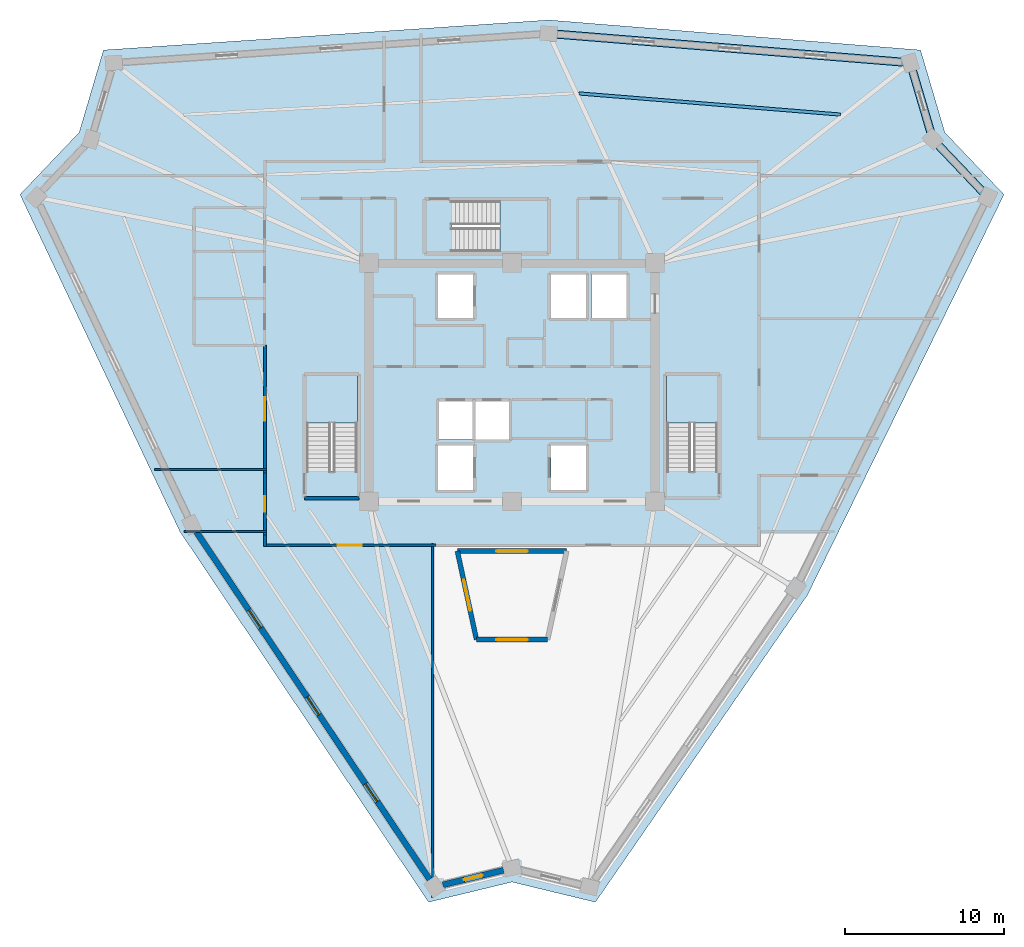
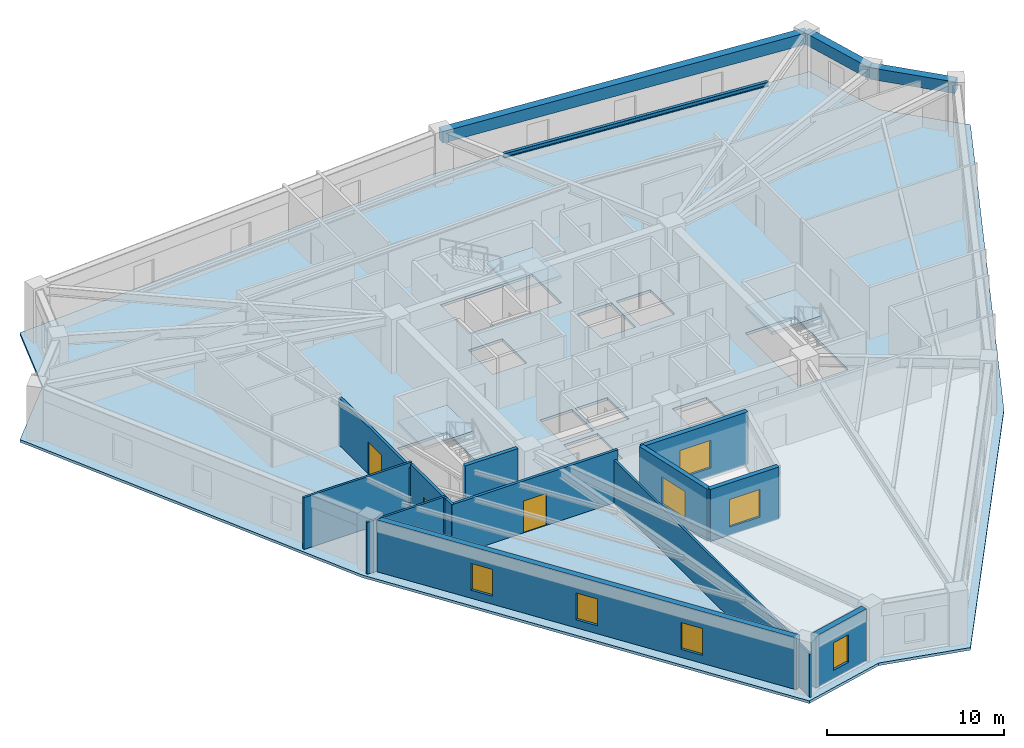
# One storey, part 2 of 10: 13 walls, 7 windows, 4 beams, 4 slabs, 3 doors, 10 openings, 3 elements without a shape of their own.
"""IFC4 building model written with IfcOpenShell, lengths in metres."""

from ifc_helpers import new_model, si_unit, direction, frame, frame_2d, origin, origin_2d, place, context, subcontext, project, spatial, polyline, rectangle, i_section, outline, extrude, source, transform, mapped, material, layer, layer_set, material_profile, profile_set, type_object, element, fill, aggregate, save


model = new_model("IFC4")

# Units and contexts
model_context = context("Model", 3, precision=1e-05, world=origin(), true_north=direction((0.0, 1.0)))
body_context = subcontext(model_context, "Body", "Model", "MODEL_VIEW")
ifc_project = project(units=[si_unit("LENGTHUNIT", "METRE"), si_unit("AREAUNIT", "SQUARE_METRE"), si_unit("VOLUMEUNIT", "CUBIC_METRE"), si_unit("PLANEANGLEUNIT", "RADIAN"), si_unit("MASSUNIT", "GRAM", prefix="KILO")], contexts=[model_context])

# Site, building, storey
site_placement = place(None, origin())
site = spatial("IfcSite", under=ifc_project, at=site_placement, CompositionType="ELEMENT")
building_placement = place(site_placement, origin())
building = spatial("IfcBuilding", under=site, at=building_placement, Name="Liaohun Quay Tower", CompositionType="ELEMENT")
storey_placement = place(building_placement, frame((0.0, 0.0, 309.0)))
storey = spatial("IfcBuildingStorey", under=building, at=storey_placement, Name="L80", CompositionType="ELEMENT", Elevation=309.0)

# Beams
ifc_material_1 = material(Name="Steel Q355D", Category="steel")
ifc_material_profile_1 = material_profile(ifc_material_1, i_section(OverallWidth=0.199951171875, OverallDepth=0.2939453125, WebThickness=0.008056640625, FlangeThickness=0.011962890625, at=origin_2d()), Name="HM294x200x8x12")
ifc_profile_set_1 = profile_set([ifc_material_profile_1], Name="Steel Q355D")
beam_type_1 = type_object("IfcBeamType", Name="BM-SEC-J4", PredefinedType="JOIST", material=ifc_profile_set_1)
shared_shape_1 = source(origin(), body_context, "Body", "SweptSolid", [
    extrude(i_section(OverallWidth=0.199951171875, OverallDepth=0.2939453125, WebThickness=0.008056640625, FlangeThickness=0.011962890625, at=origin_2d()), origin(), (0.0, 0.0, 1.0), 16.5078125),
])
beam_1_placement = place(storey_placement, frame((64.219970703125, 72.18408203125, 3.423095703125), z_axis=(0.996748723422, -0.080572838821, 0.0), x_axis=(0.080572838821, 0.996748723422, 0.0)))
element("IfcBeam", 1, at=beam_1_placement, inside=storey, type_object=beam_type_1, Name="L80 Wing Secondary Floor Joist SJ-09", PredefinedType="JOIST", context=body_context, shape_type="MappedRepresentation", body=[
    mapped(shared_shape_1, transform((0.0, 0.0, 0.0), x_axis=(1.0, 0.0, 0.0), y_axis=(0.0, 1.0, 0.0), z_axis=(0.0, 0.0, 1.0), scale=1.0)),
])
ifc_material_2 = material(Name="Precast concrete C50", Category="concrete")
ifc_material_profile_2 = material_profile(ifc_material_2, rectangle(XDim=0.5, YDim=0.800048828125, at=origin_2d()), Name="RC500x800")
ifc_profile_set_2 = profile_set([ifc_material_profile_2], Name="Precast concrete C50")
beam_type_2 = type_object("IfcBeamType", Name="BM-SPD-Z4", PredefinedType="SPANDREL", material=ifc_profile_set_2)
shared_shape_2 = source(origin(), body_context, "Body", "SweptSolid", [
    extrude(rectangle(XDim=0.5, YDim=0.800048828125, at=origin_2d()), origin(), (0.0, 0.0, 1.0), 22.838134765625),
])
beam_2_placement = place(storey_placement, frame((62.30908203125, 75.9560546875, 3.169921875), z_axis=(0.996752326166, -0.080528257666, 0.0), x_axis=(0.080528257666, 0.996752326166, 0.0)))
element("IfcBeam", 2, at=beam_2_placement, inside=storey, type_object=beam_type_2, Name="L80 Precast Spandrel Beam PC06-PC07", PredefinedType="SPANDREL", context=body_context, shape_type="MappedRepresentation", body=[
    mapped(shared_shape_2, transform((0.0, 0.0, 0.0), x_axis=(1.0, 0.0, 0.0), y_axis=(0.0, 1.0, 0.0), z_axis=(0.0, 0.0, 1.0), scale=1.0)),
])
shared_shape_3 = source(origin(), body_context, "Body", "SweptSolid", [
    extrude(rectangle(XDim=0.5, YDim=0.800048828125, at=origin_2d()), origin(), (0.0, 0.0, 1.0), 5.02587890625),
])
beam_3_placement = place(storey_placement, frame((85.072998046875, 74.116943359375, 3.169921875), z_axis=(0.282526612838, -0.95925946075, 0.0), x_axis=(0.95925946075, 0.282526612838, 0.0)))
element("IfcBeam", 3, at=beam_3_placement, inside=storey, type_object=beam_type_2, Name="L80 Precast Spandrel Beam PC07-PC08", PredefinedType="SPANDREL", context=body_context, shape_type="MappedRepresentation", body=[
    mapped(shared_shape_3, transform((0.0, 0.0, 0.0), x_axis=(1.0, 0.0, 0.0), y_axis=(0.0, 1.0, 0.0), z_axis=(0.0, 0.0, 1.0), scale=1.0)),
])
shared_shape_4 = source(origin(), body_context, "Body", "SweptSolid", [
    extrude(rectangle(XDim=0.5, YDim=0.800048828125, at=origin_2d()), origin(), (0.0, 0.0, 1.0), 5.017822265625),
])
beam_4_placement = place(storey_placement, frame((86.492919921875, 69.2958984375, 3.169921875), z_axis=(0.689348946572, -0.724429451265, 0.0), x_axis=(0.724429451265, 0.689348946572, 0.0)))
element("IfcBeam", 4, at=beam_4_placement, inside=storey, type_object=beam_type_2, Name="L80 Precast Spandrel Beam PC08-PC09", PredefinedType="SPANDREL", context=body_context, shape_type="MappedRepresentation", body=[
    mapped(shared_shape_4, transform((0.0, 0.0, 0.0), x_axis=(1.0, 0.0, 0.0), y_axis=(0.0, 1.0, 0.0), z_axis=(0.0, 0.0, 1.0), scale=1.0)),
])

# Stair, slab
ifc_material_3 = material(Name="Concrete C45", Category="concrete")
stair_type = type_object("IfcStairType", Name="STR-CORE-OFF", PredefinedType="HALF_TURN_STAIR", material=ifc_material_3)
stair_1_placement = place(storey_placement, origin())
stair_1 = element("IfcStair", 5, at=stair_1_placement, inside=storey, type_object=stair_type, Name="L80 Smokeproof Core Exit Stair ST-1", PredefinedType="HALF_TURN_STAIR")
ifc_layer_1 = layer(ifc_material_3, 0.199951171875, Name="Concrete C45", Category="concrete")
ifc_layer_set_1 = layer_set([ifc_layer_1], Name="Concrete C45")
slab_type_1 = type_object("IfcSlabType", Name="SLB-LND-200", PredefinedType="LANDING", material=ifc_layer_set_1)
slab_1_placement = place(storey_placement, frame((0.0, 0.0, 1.675048828125)))
slab_1 = element("IfcSlab", 6, at=slab_1_placement, type_object=slab_type_1, Name="ST-1 landing 1", PredefinedType="LANDING", context=body_context, shape_type="SweptSolid", body=[
    extrude(outline(polyline([(50.280029296875, 51.429931640625), (50.280029296875, 54.419921875), (47.0400390625, 54.419921875), (47.0400390625, 51.429931640625), (50.280029296875, 51.429931640625)])), origin(), (0.0, 0.0, 1.0), 0.199951171875),
])
aggregate(stair_1, [slab_1])

stair_2_placement = place(storey_placement, origin())
stair_2 = element("IfcStair", 7, at=stair_2_placement, inside=storey, type_object=stair_type, Name="L80 Smokeproof Core Exit Stair ST-2", PredefinedType="HALF_TURN_STAIR")
slab_2_placement = place(storey_placement, frame((0.0, 0.0, 1.675048828125)))
slab_2 = element("IfcSlab", 8, at=slab_2_placement, type_object=slab_type_1, Name="ST-2 landing 1", PredefinedType="LANDING", context=body_context, shape_type="SweptSolid", body=[
    extrude(outline(polyline([(72.9599609375, 51.429931640625), (72.9599609375, 54.419921875), (69.719970703125, 54.419921875), (69.719970703125, 51.429931640625), (72.9599609375, 51.429931640625)])), origin(), (0.0, 0.0, 1.0), 0.199951171875),
])
aggregate(stair_2, [slab_2])

stair_3_placement = place(storey_placement, origin())
stair_3 = element("IfcStair", 9, at=stair_3_placement, inside=storey, type_object=stair_type, Name="L80 Smokeproof Core Exit Stair ST-3", PredefinedType="HALF_TURN_STAIR")
slab_3_placement = place(storey_placement, frame((0.0, 0.0, 1.675048828125)))
slab_3 = element("IfcSlab", 10, at=slab_3_placement, type_object=slab_type_1, Name="ST-3 landing 1", PredefinedType="LANDING", context=body_context, shape_type="SweptSolid", body=[
    extrude(outline(polyline([(59.22998046875, 62.199951171875), (62.219970703125, 62.199951171875), (62.219970703125, 65.43994140625), (59.22998046875, 65.43994140625), (59.22998046875, 62.199951171875)])), origin(), (0.0, 0.0, 1.0), 0.199951171875),
])
aggregate(stair_3, [slab_3])

# Slab
ifc_layer_2 = layer(ifc_material_3, 0.179931640625, Name="Concrete C45", Category="concrete")
ifc_layer_set_2 = layer_set([ifc_layer_2], Name="Concrete C45")
slab_type_2 = type_object("IfcSlabType", Name="SLB-OFF-180", PredefinedType="FLOOR", material=ifc_layer_set_2)
slab_4_placement = place(storey_placement, frame((0.0, 0.0, -0.179931640625)))
element("IfcSlab", 11, at=slab_4_placement, inside=storey, type_object=slab_type_2, Name="L80 Structural Floor Slab", PredefinedType="FLOOR", context=body_context, shape_type="SweptSolid", body=[
    extrude(outline(polyline([(54.7470703125, 21.264892578125), (60.0, 22.533935546875), (65.2529296875, 21.264892578125), (78.594970703125, 40.591064453125), (90.97607421875, 65.818115234375), (87.25, 69.73291015625), (85.722900390625, 74.9169921875), (62.31494140625, 76.80810546875), (34.277099609375, 74.9169921875), (32.75, 69.73291015625), (29.02392578125, 65.818115234375), (39.090087890625, 44.60107421875), (54.7470703125, 21.264892578125)]), holes=[polyline([(57.56005859375, 50.030029296875), (55.340087890625, 50.030029296875), (55.340087890625, 47.2099609375), (57.56005859375, 47.2099609375), (57.56005859375, 50.030029296875)]), polyline([(47.0400390625, 54.419921875), (47.0400390625, 48.409912109375), (50.280029296875, 48.409912109375), (50.280029296875, 54.419921875), (47.0400390625, 54.419921875)]), polyline([(57.510009765625, 52.81005859375), (55.389892578125, 52.81005859375), (55.389892578125, 50.389892578125), (57.510009765625, 50.389892578125), (57.510009765625, 52.81005859375)]), polyline([(59.81005859375, 50.389892578125), (59.81005859375, 52.81005859375), (57.68994140625, 52.81005859375), (57.68994140625, 50.389892578125), (59.81005859375, 50.389892578125)]), polyline([(57.56005859375, 58.0400390625), (57.56005859375, 60.7900390625), (55.340087890625, 60.7900390625), (55.340087890625, 58.0400390625), (57.56005859375, 58.0400390625)]), polyline([(62.219970703125, 65.43994140625), (56.2099609375, 65.43994140625), (56.2099609375, 62.199951171875), (62.219970703125, 62.199951171875), (62.219970703125, 65.43994140625)]), polyline([(62.09912109375, 37.970947265625), (63.22998046875, 43.199951171875), (56.77001953125, 43.199951171875), (57.90087890625, 37.970947265625), (62.09912109375, 37.970947265625)]), polyline([(64.659912109375, 47.2099609375), (64.659912109375, 50.030029296875), (62.43994140625, 50.030029296875), (62.43994140625, 47.2099609375), (64.659912109375, 47.2099609375)]), polyline([(69.719970703125, 54.419921875), (69.719970703125, 48.409912109375), (72.9599609375, 48.409912109375), (72.9599609375, 54.419921875), (69.719970703125, 54.419921875)]), polyline([(64.659912109375, 58.0400390625), (64.659912109375, 60.7900390625), (62.43994140625, 60.7900390625), (62.43994140625, 58.0400390625), (64.659912109375, 58.0400390625)]), polyline([(67.2099609375, 58.0400390625), (67.2099609375, 60.7900390625), (64.989990234375, 60.7900390625), (64.989990234375, 58.0400390625), (67.2099609375, 58.0400390625)])]), origin(), (0.0, 0.0, 1.0), 0.179931640625),
])

# Wall, opening, window
ifc_material_4 = material(Name="Concrete C50", Category="concrete")
ifc_layer_3 = layer(ifc_material_4, 0.300048828125, Name="Concrete C50", Category="concrete")
ifc_layer_set_3 = layer_set([ifc_layer_3], Name="Concrete C50")
wall_type_1 = type_object("IfcWallType", Name="WAL-ATR-300", PredefinedType="SOLIDWALL", material=ifc_layer_set_3)
wall_1_placement = place(storey_placement, frame((57.763916015625, 37.801025390625, 0.0), z_axis=(0.0, 0.0, 1.0), x_axis=(-0.21145116659, 0.977388563545, 0.0)))
wall_1 = element("IfcWall", 12, at=wall_1_placement, inside=storey, type_object=wall_type_1, Name="L80 Atrium Fire Compartment Wall 1", PredefinedType="SOLIDWALL", context=body_context, shape_type="SweptSolid", body=[
    extrude(rectangle(XDim=5.697998046875, YDim=0.300048828125, at=frame_2d((2.84912109375, 0.0))), origin(), (0.0, 0.0, 1.0), 3.570068359375),
])
shared_shape_5 = source(origin(), body_context, "Body", "SweptSolid", [
    extrude(rectangle(XDim=2.0, YDim=1.89990234375, at=frame_2d((1.0, 0.949951171875))), frame((0.0, 0.159912109375, 0.0), z_axis=(0.0, -1.0, 0.0), x_axis=(1.0, 0.0, 0.0)), (0.0, 0.0, 1.0), 0.320068359375),
])
opening_1_placement = place(wall_1_placement, frame((1.84912109375, 0.0, 0.550048828125)))
opening_1 = element("IfcOpeningElement", 13, at=opening_1_placement, cuts=wall_1, Name="Opening W07", PredefinedType="OPENING", context=body_context, shape_type="MappedRepresentation", body=[
    mapped(shared_shape_5, transform((0.0, 0.0, 0.0), x_axis=(1.0, 0.0, 0.0), y_axis=(0.0, 1.0, 0.0), z_axis=(0.0, 0.0, 1.0), scale=1.0)),
])
ifc_material_5 = material(Name="Class A 180-min fire-resistant insulated glazing", Category="glass")
window_type_1 = type_object("IfcWindowType", Name="WIN-ATR-FIR", PartitioningType="DOUBLE_PANEL_VERTICAL", PredefinedType="WINDOW", material=ifc_material_5)
shared_shape_6 = source(origin(), body_context, "Body", "SweptSolid", [
    extrude(rectangle(XDim=2.0, YDim=1.89990234375, at=frame_2d((1.0, 0.949951171875))), frame((0.0, 0.030029296875, 0.0), z_axis=(0.0, -1.0, 0.0), x_axis=(1.0, 0.0, 0.0)), (0.0, 0.0, 1.0), 0.06005859375),
])
window_1_placement = place(opening_1_placement, origin())
window_1 = element("IfcWindow", 14, at=window_1_placement, inside=storey, type_object=window_type_1, Name="L80 Atrium Fire-Resistant Glazing W07-1", OverallHeight=1.89990234375, OverallWidth=2.0, PartitioningType="DOUBLE_PANEL_VERTICAL", PredefinedType="WINDOW", context=body_context, shape_type="MappedRepresentation", body=[
    mapped(shared_shape_6, transform((0.0, 0.0, 0.0), x_axis=(1.0, 0.0, 0.0), y_axis=(0.0, 1.0, 0.0), z_axis=(0.0, 0.0, 1.0), scale=1.0)),
])
fill(opening_1, window_1)

wall_2_placement = place(storey_placement, frame((56.55908203125, 43.3701171875, 0.0), z_axis=(0.0, 0.0, 1.0), x_axis=(1.0, 0.0, 0.0)))
wall_2 = element("IfcWall", 15, at=wall_2_placement, inside=storey, type_object=wall_type_1, Name="L80 Atrium Fire Compartment Wall 2", PredefinedType="SOLIDWALL", context=body_context, shape_type="SweptSolid", body=[
    extrude(rectangle(XDim=6.8818359375, YDim=0.300048828125, at=frame_2d((3.44091796875, 0.0))), origin(), (0.0, 0.0, 1.0), 3.570068359375),
])
opening_2_placement = place(wall_2_placement, frame((2.44091796875, 0.0, 0.550048828125)))
opening_2 = element("IfcOpeningElement", 16, at=opening_2_placement, cuts=wall_2, Name="Opening W07", PredefinedType="OPENING", context=body_context, shape_type="MappedRepresentation", body=[
    mapped(shared_shape_5, transform((0.0, 0.0, 0.0), x_axis=(1.0, 0.0, 0.0), y_axis=(0.0, 1.0, 0.0), z_axis=(0.0, 0.0, 1.0), scale=1.0)),
])
window_2_placement = place(opening_2_placement, origin())
window_2 = element("IfcWindow", 17, at=window_2_placement, inside=storey, type_object=window_type_1, Name="L80 Atrium Fire-Resistant Glazing W07-2", OverallHeight=1.89990234375, OverallWidth=2.0, PartitioningType="DOUBLE_PANEL_VERTICAL", PredefinedType="WINDOW", context=body_context, shape_type="MappedRepresentation", body=[
    mapped(shared_shape_6, transform((0.0, 0.0, 0.0), x_axis=(1.0, 0.0, 0.0), y_axis=(0.0, 1.0, 0.0), z_axis=(0.0, 0.0, 1.0), scale=1.0)),
])
fill(opening_2, window_2)

wall_3_placement = place(storey_placement, frame((62.236083984375, 37.801025390625, 0.0), z_axis=(0.0, 0.0, 1.0), x_axis=(-1.0, 0.0, 0.0)))
wall_3 = element("IfcWall", 18, at=wall_3_placement, inside=storey, type_object=wall_type_1, Name="L80 Atrium Fire Compartment Wall 4", PredefinedType="SOLIDWALL", context=body_context, shape_type="SweptSolid", body=[
    extrude(rectangle(XDim=4.47216796875, YDim=0.300048828125, at=frame_2d((2.236083984375, 0.0))), origin(), (0.0, 0.0, 1.0), 3.570068359375),
])
opening_3_placement = place(wall_3_placement, frame((1.236083984375, 0.0, 0.550048828125)))
opening_3 = element("IfcOpeningElement", 19, at=opening_3_placement, cuts=wall_3, Name="Opening W07", PredefinedType="OPENING", context=body_context, shape_type="MappedRepresentation", body=[
    mapped(shared_shape_5, transform((0.0, 0.0, 0.0), x_axis=(1.0, 0.0, 0.0), y_axis=(0.0, 1.0, 0.0), z_axis=(0.0, 0.0, 1.0), scale=1.0)),
])
window_3_placement = place(opening_3_placement, origin())
window_3 = element("IfcWindow", 20, at=window_3_placement, inside=storey, type_object=window_type_1, Name="L80 Atrium Fire-Resistant Glazing W07-4", OverallHeight=1.89990234375, OverallWidth=2.0, PartitioningType="DOUBLE_PANEL_VERTICAL", PredefinedType="WINDOW", context=body_context, shape_type="MappedRepresentation", body=[
    mapped(shared_shape_6, transform((0.0, 0.0, 0.0), x_axis=(1.0, 0.0, 0.0), y_axis=(0.0, 1.0, 0.0), z_axis=(0.0, 0.0, 1.0), scale=1.0)),
])
fill(opening_3, window_3)

# Wall, openings, windows
ifc_material_6 = material(Name="Precast concrete C50 insulated sandwich", Category="concrete")
ifc_layer_4 = layer(ifc_material_6, 0.3798828125, Name="Precast concrete C50 insulated sandwich", Category="concrete")
ifc_layer_set_4 = layer_set([ifc_layer_4], Name="Precast concrete C50 insulated sandwich")
wall_type_2 = type_object("IfcWallType", Name="WAL-EXT-Z34", PredefinedType="SOLIDWALL", material=ifc_layer_set_4)
wall_4_placement = place(storey_placement, frame((40.132080078125, 44.573974609375, 0.0), z_axis=(0.0, 0.0, 1.0), x_axis=(0.557129450607, -0.830425659085, 0.0)))
wall_4 = element("IfcWall", 21, at=wall_4_placement, inside=storey, type_object=wall_type_2, Name="L80 Brutalist Precast Pier Wall 11", PredefinedType="SOLIDWALL", context=body_context, shape_type="SweptSolid", body=[
    extrude(rectangle(XDim=26.3671875, YDim=0.3798828125, at=frame_2d((13.18359375, 0.0))), origin(), (0.0, 0.0, 1.0), 3.570068359375),
])
shared_shape_7 = source(origin(), body_context, "Body", "SweptSolid", [
    extrude(rectangle(XDim=1.35009765625, YDim=1.85009765625, at=frame_2d((0.675048828125, 0.925048828125))), frame((0.0, 0.199951171875, 0.0), z_axis=(0.0, -1.0, 0.0), x_axis=(1.0, 0.0, 0.0)), (0.0, 0.0, 1.0), 0.39990234375),
])
opening_4_placement = place(wall_4_placement, frame((5.9169921875, 0.0, 0.550048828125)))
opening_4 = element("IfcOpeningElement", 22, at=opening_4_placement, cuts=wall_4, Name="Opening W04", PredefinedType="OPENING", context=body_context, shape_type="MappedRepresentation", body=[
    mapped(shared_shape_7, transform((0.0, 0.0, 0.0), x_axis=(1.0, 0.0, 0.0), y_axis=(0.0, 1.0, 0.0), z_axis=(0.0, 0.0, 1.0), scale=1.0)),
])
opening_5_placement = place(wall_4_placement, frame((12.509033203125, 0.0, 0.550048828125)))
opening_5 = element("IfcOpeningElement", 23, at=opening_5_placement, cuts=wall_4, Name="Opening W04", PredefinedType="OPENING", context=body_context, shape_type="MappedRepresentation", body=[
    mapped(shared_shape_7, transform((0.0, 0.0, 0.0), x_axis=(1.0, 0.0, 0.0), y_axis=(0.0, 1.0, 0.0), z_axis=(0.0, 0.0, 1.0), scale=1.0)),
])
opening_6_placement = place(wall_4_placement, frame((19.10009765625, 0.0, 0.550048828125)))
opening_6 = element("IfcOpeningElement", 24, at=opening_6_placement, cuts=wall_4, Name="Opening W04", PredefinedType="OPENING", context=body_context, shape_type="MappedRepresentation", body=[
    mapped(shared_shape_7, transform((0.0, 0.0, 0.0), x_axis=(1.0, 0.0, 0.0), y_axis=(0.0, 1.0, 0.0), z_axis=(0.0, 0.0, 1.0), scale=1.0)),
])
ifc_material_7 = material(Name="Triple Low-E argon glazing in thermally broken aluminium", Category="aluminium")
window_type_2 = type_object("IfcWindowType", Name="WIN-PUN-Z4", PartitioningType="SINGLE_PANEL", PredefinedType="WINDOW", material=ifc_material_7)
shared_shape_8 = source(origin(), body_context, "Body", "SweptSolid", [
    extrude(rectangle(XDim=1.35009765625, YDim=1.85009765625, at=frame_2d((0.675048828125, 0.925048828125))), frame((0.0, 0.030029296875, 0.0), z_axis=(0.0, -1.0, 0.0), x_axis=(1.0, 0.0, 0.0)), (0.0, 0.0, 1.0), 0.06005859375),
])
window_4_placement = place(opening_4_placement, origin())
window_4 = element("IfcWindow", 25, at=window_4_placement, inside=storey, type_object=window_type_2, Name="L80 Recessed Cold-Climate Punched Window 11-1", OverallHeight=1.85009765625, OverallWidth=1.35009765625, PartitioningType="SINGLE_PANEL", PredefinedType="WINDOW", context=body_context, shape_type="MappedRepresentation", body=[
    mapped(shared_shape_8, transform((0.0, 0.0, 0.0), x_axis=(1.0, 0.0, 0.0), y_axis=(0.0, 1.0, 0.0), z_axis=(0.0, 0.0, 1.0), scale=1.0)),
])
fill(opening_4, window_4)
window_5_placement = place(opening_5_placement, origin())
window_5 = element("IfcWindow", 26, at=window_5_placement, inside=storey, type_object=window_type_2, Name="L80 Recessed Cold-Climate Punched Window 11-2", OverallHeight=1.85009765625, OverallWidth=1.35009765625, PartitioningType="SINGLE_PANEL", PredefinedType="WINDOW", context=body_context, shape_type="MappedRepresentation", body=[
    mapped(shared_shape_8, transform((0.0, 0.0, 0.0), x_axis=(1.0, 0.0, 0.0), y_axis=(0.0, 1.0, 0.0), z_axis=(0.0, 0.0, 1.0), scale=1.0)),
])
fill(opening_5, window_5)
window_6_placement = place(opening_6_placement, origin())
window_6 = element("IfcWindow", 27, at=window_6_placement, inside=storey, type_object=window_type_2, Name="L80 Recessed Cold-Climate Punched Window 11-3", OverallHeight=1.85009765625, OverallWidth=1.35009765625, PartitioningType="SINGLE_PANEL", PredefinedType="WINDOW", context=body_context, shape_type="MappedRepresentation", body=[
    mapped(shared_shape_8, transform((0.0, 0.0, 0.0), x_axis=(1.0, 0.0, 0.0), y_axis=(0.0, 1.0, 0.0), z_axis=(0.0, 0.0, 1.0), scale=1.0)),
])
fill(opening_6, window_6)

# Wall, opening, window
wall_5_placement = place(storey_placement, frame((55.64794921875, 22.35693359375, 0.0), z_axis=(0.0, 0.0, 1.0), x_axis=(0.9720661116, 0.234707210539, 0.0)))
wall_5 = element("IfcWall", 28, at=wall_5_placement, inside=storey, type_object=wall_type_2, Name="L80 Brutalist Precast Pier Wall 12", PredefinedType="SOLIDWALL", context=body_context, shape_type="SweptSolid", body=[
    extrude(rectangle(XDim=3.93701171875, YDim=0.3798828125, at=frame_2d((1.968505859375, 0.0))), origin(), (0.0, 0.0, 1.0), 3.570068359375),
])
shared_shape_9 = source(origin(), body_context, "Body", "SweptSolid", [
    extrude(rectangle(XDim=1.199951171875, YDim=1.89990234375, at=frame_2d((0.60009765625, 0.949951171875))), frame((0.0, 0.199951171875, 0.0), z_axis=(0.0, -1.0, 0.0), x_axis=(1.0, 0.0, 0.0)), (0.0, 0.0, 1.0), 0.39990234375),
])
opening_7_placement = place(wall_5_placement, frame((1.367919921875, 0.0, 0.550048828125)))
opening_7 = element("IfcOpeningElement", 29, at=opening_7_placement, cuts=wall_5, Name="Opening W05", PredefinedType="OPENING", context=body_context, shape_type="MappedRepresentation", body=[
    mapped(shared_shape_9, transform((0.0, 0.0, 0.0), x_axis=(1.0, 0.0, 0.0), y_axis=(0.0, 1.0, 0.0), z_axis=(0.0, 0.0, 1.0), scale=1.0)),
])
ifc_material_8 = material(Name="Triple Low-E corner notch glazing", Category="glass")
window_type_3 = type_object("IfcWindowType", Name="WIN-NOTCH", PartitioningType="SINGLE_PANEL", PredefinedType="WINDOW", material=ifc_material_8)
shared_shape_10 = source(origin(), body_context, "Body", "SweptSolid", [
    extrude(rectangle(XDim=1.199951171875, YDim=1.89990234375, at=frame_2d((0.60009765625, 0.949951171875))), frame((0.0, 0.030029296875, 0.0), z_axis=(0.0, -1.0, 0.0), x_axis=(1.0, 0.0, 0.0)), (0.0, 0.0, 1.0), 0.06005859375),
])
window_7_placement = place(opening_7_placement, origin())
window_7 = element("IfcWindow", 30, at=window_7_placement, inside=storey, type_object=window_type_3, Name="L80 Corner Notch Window W05-12", OverallHeight=1.89990234375, OverallWidth=1.199951171875, PartitioningType="SINGLE_PANEL", PredefinedType="WINDOW", context=body_context, shape_type="MappedRepresentation", body=[
    mapped(shared_shape_10, transform((0.0, 0.0, 0.0), x_axis=(1.0, 0.0, 0.0), y_axis=(0.0, 1.0, 0.0), z_axis=(0.0, 0.0, 1.0), scale=1.0)),
])
fill(opening_7, window_7)

# Wall, opening, door
ifc_material_9 = material(Name="Autoclaved aerated concrete blockwork", Category="masonry")
ifc_layer_5 = layer(ifc_material_9, 0.179931640625, Name="Autoclaved aerated concrete blockwork", Category="masonry")
ifc_layer_set_5 = layer_set([ifc_layer_5], Name="Autoclaved aerated concrete blockwork")
wall_type_3 = type_object("IfcWallType", Name="WAL-PRT-COR", PredefinedType="PARTITIONING", material=ifc_layer_set_5)
wall_6_placement = place(storey_placement, frame((44.43994140625, 48.284912109375, 0.0), z_axis=(0.0, 0.0, 1.0), x_axis=(0.0, 1.0, 0.0)))
wall_6 = element("IfcWall", 31, at=wall_6_placement, inside=storey, type_object=wall_type_3, Name="L80 Interior Partition Wall 019", PredefinedType="PARTITIONING", context=body_context, shape_type="SweptSolid", body=[
    extrude(rectangle(XDim=8.05517578125, YDim=0.179931640625, at=frame_2d((4.027587890625, 0.0))), origin(), (0.0, 0.0, 1.0), 3.260986328125),
])
shared_shape_11 = source(origin(), body_context, "Body", "SweptSolid", [
    extrude(rectangle(XDim=1.5, YDim=2.199951171875, at=frame_2d((0.75, 1.10009765625))), frame((0.0, 0.099853515625, 0.0), z_axis=(0.0, -1.0, 0.0), x_axis=(1.0, 0.0, 0.0)), (0.0, 0.0, 1.0), 0.199951171875),
])
opening_8_placement = place(wall_6_placement, frame((3.278076171875, 0.0, 0.0)))
opening_8 = element("IfcOpeningElement", 32, at=opening_8_placement, cuts=wall_6, Name="Opening OD2", PredefinedType="OPENING", context=body_context, shape_type="MappedRepresentation", body=[
    mapped(shared_shape_11, transform((0.0, 0.0, 0.0), x_axis=(1.0, 0.0, 0.0), y_axis=(0.0, 1.0, 0.0), z_axis=(0.0, 0.0, 1.0), scale=1.0)),
])
ifc_material_10 = material(Name="Acoustic oak veneer double door")
door_type_1 = type_object("IfcDoorType", Name="DOR-OFF-1500", OperationType="DOUBLE_DOOR_SINGLE_SWING", PredefinedType="DOOR", material=ifc_material_10)
shared_shape_12 = source(origin(), body_context, "Body", "SweptSolid", [
    extrude(rectangle(XDim=1.5, YDim=2.199951171875, at=frame_2d((0.75, 1.10009765625))), frame((0.0, 0.02490234375, 0.0), z_axis=(0.0, -1.0, 0.0), x_axis=(1.0, 0.0, 0.0)), (0.0, 0.0, 1.0), 0.050048828125),
])
door_1_placement = place(opening_8_placement, origin())
door_1 = element("IfcDoor", 33, at=door_1_placement, inside=storey, type_object=door_type_1, Name="L80 Corporate Exhibition Gallery 05 Door", OperationType="DOUBLE_DOOR_SINGLE_SWING", OverallHeight=2.199951171875, OverallWidth=1.5, PredefinedType="DOOR", context=body_context, shape_type="MappedRepresentation", body=[
    mapped(shared_shape_12, transform((0.0, 0.0, 0.0), x_axis=(1.0, 0.0, 0.0), y_axis=(0.0, 1.0, 0.0), z_axis=(0.0, 0.0, 1.0), scale=1.0)),
])
fill(opening_8, door_1)

wall_7_placement = place(storey_placement, frame((44.43994140625, 44.385009765625, 0.0), z_axis=(0.0, 0.0, 1.0), x_axis=(0.0, 1.0, 0.0)))
wall_7 = element("IfcWall", 34, at=wall_7_placement, inside=storey, type_object=wall_type_3, Name="L80 Interior Partition Wall 020", PredefinedType="PARTITIONING", context=body_context, shape_type="SweptSolid", body=[
    extrude(rectangle(XDim=3.89990234375, YDim=0.179931640625, at=frame_2d((1.949951171875, 0.0))), origin(), (0.0, 0.0, 1.0), 3.570068359375),
])
shared_shape_13 = source(origin(), body_context, "Body", "SweptSolid", [
    extrude(rectangle(XDim=1.0, YDim=2.199951171875, at=frame_2d((0.5, 1.10009765625))), frame((0.0, 0.099853515625, 0.0), z_axis=(0.0, -1.0, 0.0), x_axis=(1.0, 0.0, 0.0)), (0.0, 0.0, 1.0), 0.199951171875),
])
opening_9_placement = place(wall_7_placement, frame((1.449951171875, 0.0, 0.0)))
opening_9 = element("IfcOpeningElement", 35, at=opening_9_placement, cuts=wall_7, Name="Opening OD1", PredefinedType="OPENING", context=body_context, shape_type="MappedRepresentation", body=[
    mapped(shared_shape_13, transform((0.0, 0.0, 0.0), x_axis=(1.0, 0.0, 0.0), y_axis=(0.0, 1.0, 0.0), z_axis=(0.0, 0.0, 1.0), scale=1.0)),
])
ifc_material_11 = material(Name="Solid-core oak veneer timber leaf in steel frame", Category="steel")
door_type_2 = type_object("IfcDoorType", Name="DOR-OFF-1000", OperationType="NOTDEFINED", PredefinedType="DOOR", material=ifc_material_11)
shared_shape_14 = source(origin(), body_context, "Body", "SweptSolid", [
    extrude(rectangle(XDim=1.0, YDim=2.199951171875, at=frame_2d((0.5, 1.10009765625))), frame((0.0, 0.02490234375, 0.0), z_axis=(0.0, -1.0, 0.0), x_axis=(1.0, 0.0, 0.0)), (0.0, 0.0, 1.0), 0.050048828125),
])
door_2_placement = place(opening_9_placement, origin())
door_2 = element("IfcDoor", 36, at=door_2_placement, inside=storey, type_object=door_type_2, Name="L80 Staff Tea Kitchen and Pantry 06 Door", OperationType="SINGLE_SWING_RIGHT", OverallHeight=2.199951171875, OverallWidth=1.0, PredefinedType="DOOR", context=body_context, shape_type="MappedRepresentation", body=[
    mapped(shared_shape_14, transform((0.0, 0.0, 0.0), x_axis=(1.0, 0.0, 0.0), y_axis=(0.0, 1.0, 0.0), z_axis=(0.0, 0.0, 1.0), scale=1.0)),
])
fill(opening_9, door_2)

wall_8_placement = place(storey_placement, frame((55.215087890625, 43.739990234375, 0.0), z_axis=(0.0, 0.0, 1.0), x_axis=(-1.0, 0.0, 0.0)))
wall_8 = element("IfcWall", 37, at=wall_8_placement, inside=storey, type_object=wall_type_3, Name="L80 Interior Partition Wall 021", PredefinedType="PARTITIONING", context=body_context, shape_type="SweptSolid", body=[
    extrude(rectangle(XDim=10.844970703125, YDim=0.179931640625, at=frame_2d((5.42236328125, 0.0))), origin(), (0.0, 0.0, 1.0), 3.570068359375),
])
opening_10_placement = place(wall_8_placement, frame((4.673095703125, 0.0, 0.0)))
opening_10 = element("IfcOpeningElement", 38, at=opening_10_placement, cuts=wall_8, Name="Opening OD2", PredefinedType="OPENING", context=body_context, shape_type="MappedRepresentation", body=[
    mapped(shared_shape_11, transform((0.0, 0.0, 0.0), x_axis=(1.0, 0.0, 0.0), y_axis=(0.0, 1.0, 0.0), z_axis=(0.0, 0.0, 1.0), scale=1.0)),
])
door_3_placement = place(opening_10_placement, origin())
door_3 = element("IfcDoor", 39, at=door_3_placement, inside=storey, type_object=door_type_1, Name="L80 Engineering Model Workshop 07 Door", OperationType="DOUBLE_DOOR_SINGLE_SWING", OverallHeight=2.199951171875, OverallWidth=1.5, PredefinedType="DOOR", context=body_context, shape_type="MappedRepresentation", body=[
    mapped(shared_shape_12, transform((0.0, 0.0, 0.0), x_axis=(1.0, 0.0, 0.0), y_axis=(0.0, 1.0, 0.0), z_axis=(0.0, 0.0, 1.0), scale=1.0)),
])
fill(opening_10, door_3)

# Walls
wall_9_placement = place(storey_placement, frame((44.43994140625, 43.669921875, 0.0), z_axis=(0.0, 0.0, 1.0), x_axis=(0.0, 1.0, 0.0)))
element("IfcWall", 40, at=wall_9_placement, inside=storey, type_object=wall_type_3, Name="L80 Interior Partition Wall 047", PredefinedType="PARTITIONING", context=body_context, shape_type="SweptSolid", body=[
    extrude(rectangle(XDim=0.715087890625, YDim=0.179931640625, at=frame_2d((0.357421875, 0.0))), origin(), (0.0, 0.0, 1.0), 3.570068359375),
])
ifc_material_12 = material(Name="Gypsum board on twin steel studs", Category="steel")
ifc_layer_6 = layer(ifc_material_12, 0.139892578125, Name="Gypsum board on twin steel studs", Category="steel")
ifc_layer_set_6 = layer_set([ifc_layer_6], Name="Gypsum board on twin steel studs")
wall_type_4 = type_object("IfcWallType", Name="WAL-PRT-OFF", PredefinedType="PARTITIONING", material=ifc_layer_set_6)
wall_10_placement = place(storey_placement, frame((44.5400390625, 44.60009765625, 0.0), z_axis=(0.0, 0.0, 1.0), x_axis=(-1.0, 0.0, 0.0)))
element("IfcWall", 41, at=wall_10_placement, inside=storey, type_object=wall_type_4, Name="L80 Interior Partition Wall 050", PredefinedType="PARTITIONING", context=body_context, shape_type="SweptSolid", body=[
    extrude(rectangle(XDim=5.18408203125, YDim=0.139892578125, at=frame_2d((2.592041015625, 0.0))), origin(), (0.0, 0.0, 1.0), 3.570068359375),
])
wall_11_placement = place(storey_placement, frame((44.5400390625, 48.5, 0.0), z_axis=(0.0, 0.0, 1.0), x_axis=(-1.0, 0.0, 0.0)))
element("IfcWall", 42, at=wall_11_placement, inside=storey, type_object=wall_type_4, Name="L80 Interior Partition Wall 051", PredefinedType="PARTITIONING", context=body_context, shape_type="SweptSolid", body=[
    extrude(rectangle(XDim=7.05615234375, YDim=0.139892578125, at=frame_2d((3.528076171875, 0.0))), origin(), (0.0, 0.0, 1.0), 3.570068359375),
])
wall_12_placement = place(storey_placement, frame((55.0, 43.840087890625, 0.0), z_axis=(0.0, 0.0, 1.0), x_axis=(0.0, -1.0, 0.0)))
element("IfcWall", 43, at=wall_12_placement, inside=storey, type_object=wall_type_4, Name="L80 Interior Partition Wall 056", PredefinedType="PARTITIONING", context=body_context, shape_type="SweptSolid", body=[
    extrude(rectangle(XDim=22.2880859375, YDim=0.139892578125, at=frame_2d((11.14404296875, 0.0))), origin(), (0.0, 0.0, 1.0), 2.967041015625),
])
ifc_layer_7 = layer(ifc_material_4, 0.239990234375, Name="Concrete C50", Category="concrete")
ifc_layer_set_7 = layer_set([ifc_layer_7], Name="Concrete C50")
wall_type_5 = type_object("IfcWallType", Name="WAL-SHF-200", PredefinedType="SOLIDWALL", material=ifc_layer_set_7)
wall_13_placement = place(storey_placement, frame((46.93994140625, 46.699951171875, 0.0), z_axis=(0.0, 0.0, 1.0), x_axis=(1.0, 0.0, 0.0)))
element("IfcWall", 44, at=wall_13_placement, inside=storey, type_object=wall_type_5, Name="L80 Stairwell ST-1 Structural Core Wall S", PredefinedType="SOLIDWALL", context=body_context, shape_type="SweptSolid", body=[
    extrude(rectangle(XDim=3.43994140625, YDim=0.239990234375, at=frame_2d((1.719970703125, 0.0))), origin(), (0.0, 0.0, 1.0), 3.570068359375),
])

save(model, "model.ifc")
